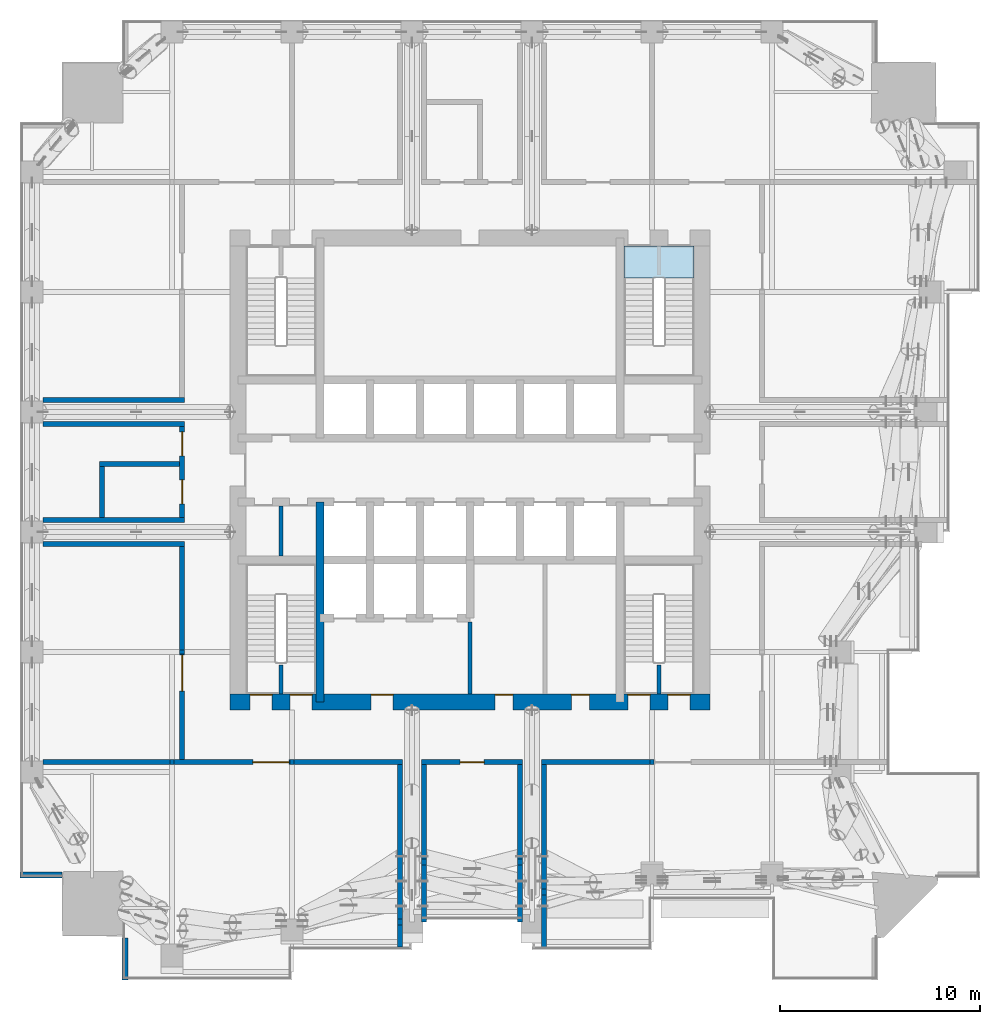
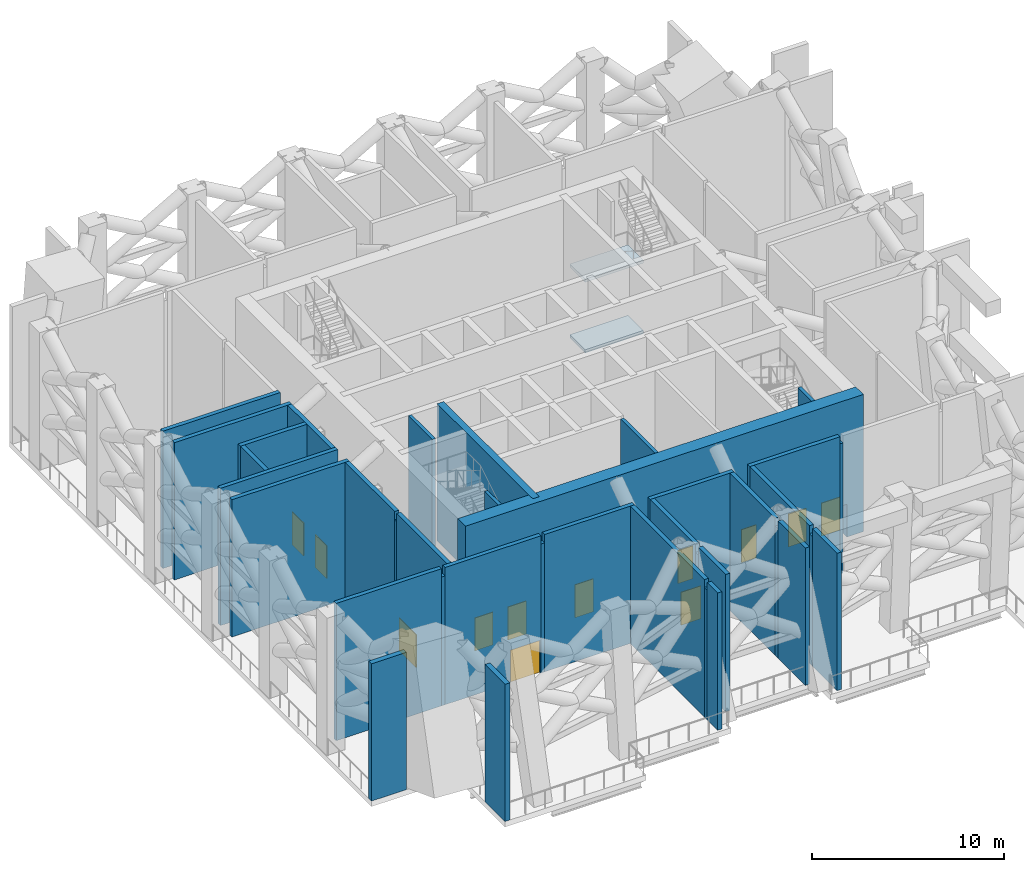
# One storey, part 7 of 19: 38 walls, 12 doors, 2 slabs, 12 openings, 1 element without a shape of its own.
"""IFC4 building model written with IfcOpenShell, lengths in metres."""

from ifc_helpers import new_model, si_unit, direction, frame, frame_2d, origin, place, context, subcontext, project, spatial, polyline, rectangle, outline, extrude, material, layer, layer_set, type_object, element, fill, aggregate, save


model = new_model("IFC4")

# Units and contexts
model_context = context("Model", 3, precision=1e-05, world=origin(), true_north=direction((0.0, 1.0)))
body_context = subcontext(model_context, "Body", "Model", "MODEL_VIEW")
ifc_project = project(units=[si_unit("LENGTHUNIT", "METRE"), si_unit("AREAUNIT", "SQUARE_METRE"), si_unit("VOLUMEUNIT", "CUBIC_METRE"), si_unit("PLANEANGLEUNIT", "RADIAN"), si_unit("MASSUNIT", "GRAM", prefix="KILO")], contexts=[model_context])

# Site, building, storey
site_placement = place(None, origin())
site = spatial("IfcSite", under=ifc_project, at=site_placement, CompositionType="ELEMENT")
building_placement = place(site_placement, origin())
building = spatial("IfcBuilding", under=site, at=building_placement, Name="Amberfall Residences", CompositionType="ELEMENT")
storey_placement = place(building_placement, frame((0.0, 0.0, 124.89990234375)))
storey = spatial("IfcBuildingStorey", under=building, at=storey_placement, Name="L34", CompositionType="ELEMENT", Elevation=124.89990234375)

# Stair, slabs
ifc_material_1 = material(Name="Concrete C40", Category="concrete")
stair_type = type_object("IfcStairType", Name="Exit stair 52 risers 173.1 mm", PredefinedType="HALF_TURN_STAIR", material=ifc_material_1)
stair_placement = place(storey_placement, origin())
stair = element("IfcStair", 1, at=stair_placement, inside=storey, type_object=stair_type, Name="L34 Exit stair 3", PredefinedType="HALF_TURN_STAIR")
ifc_layer_1 = layer(ifc_material_1, 0.199951171875)
ifc_layer_set_1 = layer_set([ifc_layer_1], Name="Stair landing 200")
slab_type = type_object("IfcSlabType", Name="Stair landing 200", PredefinedType="LANDING", material=ifc_layer_set_1)
slab_1_placement = place(storey_placement, frame((0.0, 0.0, 4.300048828125)))
slab_1 = element("IfcSlab", 2, at=slab_1_placement, type_object=slab_type, Name="ST4 landing 2", PredefinedType="LANDING", context=body_context, shape_type="SweptSolid", body=[
    extrude(outline(polyline([(82.199951171875, 56.699951171875), (82.199951171875, 55.10009765625), (85.699951171875, 55.10009765625), (85.699951171875, 56.699951171875), (82.199951171875, 56.699951171875)])), origin(), (0.0, 0.0, 1.0), 0.199951171875),
])
slab_2_placement = place(storey_placement, frame((0.0, 0.0, -0.199951171875)))
slab_2 = element("IfcSlab", 3, at=slab_2_placement, type_object=slab_type, Name="ST4 landing 4", PredefinedType="LANDING", context=body_context, shape_type="SweptSolid", body=[
    extrude(outline(polyline([(82.199951171875, 56.699951171875), (82.199951171875, 55.10009765625), (85.699951171875, 55.10009765625), (85.699951171875, 56.699951171875), (82.199951171875, 56.699951171875)])), origin(), (0.0, 0.0, 1.0), 0.199951171875),
])
aggregate(stair, [slab_1, slab_2])

# Walls
ifc_material_2 = material(Name="Reinforced concrete C40", Category="concrete")
ifc_layer_2 = layer(ifc_material_2, 0.25)
ifc_layer_set_2 = layer_set([ifc_layer_2], Name="Compartment wall 250")
wall_type_1 = type_object("IfcWallType", Name="Compartment wall 250", PredefinedType="SOLIDWALL", material=ifc_layer_set_2)
wall_1_placement = place(storey_placement, frame((53.14990234375, 30.89990234375, 0.0), z_axis=(0.0, 0.0, 1.0), x_axis=(1.0, 0.0, 0.0)))
element("IfcWall", 4, at=wall_1_placement, inside=storey, type_object=wall_type_1, Name="Compartment wall 250 L34 001", PredefinedType="SOLIDWALL", context=body_context, shape_type="SweptSolid", body=[
    extrude(rectangle(XDim=6.3447265625, YDim=0.25, at=frame_2d((3.17236328125, 0.0))), origin(), (0.0, 0.0, 1.0), 8.75),
])
wall_2_placement = place(storey_placement, frame((59.49462890625, 30.89990234375, 0.0), z_axis=(0.0, 0.0, 1.0), x_axis=(1.0, 0.0, 0.0)))
element("IfcWall", 5, at=wall_2_placement, inside=storey, type_object=wall_type_1, Name="Compartment wall 250 L34 002", PredefinedType="SOLIDWALL", context=body_context, shape_type="SweptSolid", body=[
    extrude(rectangle(XDim=0.210693359375, YDim=0.25, at=frame_2d((0.10546875, 0.0))), origin(), (0.0, 0.0, 1.0), 8.211181640625),
])

# Wall, opening, door
wall_3_placement = place(storey_placement, frame((59.705322265625, 30.89990234375, 0.0), z_axis=(0.0, 0.0, 1.0), x_axis=(1.0, 0.0, 0.0)))
wall_3 = element("IfcWall", 6, at=wall_3_placement, inside=storey, type_object=wall_type_1, Name="Compartment wall 250 L34 003", PredefinedType="SOLIDWALL", context=body_context, shape_type="SweptSolid", body=[
    extrude(rectangle(XDim=5.7900390625, YDim=0.25, at=frame_2d((2.89501953125, 0.0))), origin(), (0.0, 0.0, 1.0), 8.75),
])
opening_1_placement = place(wall_3_placement, frame((3.944580078125, 0.0, 0.0)))
opening_1 = element("IfcOpeningElement", 7, at=opening_1_placement, cuts=wall_3, Name="Opening D13", PredefinedType="OPENING", context=body_context, shape_type="SweptSolid", body=[
    extrude(rectangle(XDim=1.800048828125, YDim=2.10009765625, at=frame_2d((0.89990234375, 1.050048828125))), frame((0.0, 0.135009765625, 0.0), z_axis=(0.0, -1.0, 0.0), x_axis=(1.0, 0.0, 0.0)), (0.0, 0.0, 1.0), 0.27001953125),
])
ifc_material_3 = material(Name="Steel fire door leaf", Category="steel")
door_type_1 = type_object("IfcDoorType", Name="Double fire door 1800x2100 FD60", OperationType="DOUBLE_DOOR_SINGLE_SWING", PredefinedType="DOOR", material=ifc_material_3)
door_1_placement = place(opening_1_placement, origin())
door_1 = element("IfcDoor", 8, at=door_1_placement, inside=storey, type_object=door_type_1, Name="Door Refuge area 1", OperationType="DOUBLE_DOOR_SINGLE_SWING", OverallHeight=2.10009765625, OverallWidth=1.800048828125, PredefinedType="DOOR", context=body_context, shape_type="SweptSolid", body=[
    extrude(rectangle(XDim=1.800048828125, YDim=2.10009765625, at=frame_2d((0.89990234375, 1.050048828125))), frame((0.0, 0.02490234375, 0.0), z_axis=(0.0, -1.0, 0.0), x_axis=(1.0, 0.0, 0.0)), (0.0, 0.0, 1.0), 0.050048828125),
])
fill(opening_1, door_1)

# Walls
wall_4_placement = place(storey_placement, frame((65.495361328125, 30.89990234375, 0.0), z_axis=(0.0, 0.0, 1.0), x_axis=(1.0, 0.0, 0.0)))
element("IfcWall", 9, at=wall_4_placement, inside=storey, type_object=wall_type_1, Name="Compartment wall 250 L34 004", PredefinedType="SOLIDWALL", context=body_context, shape_type="SweptSolid", body=[
    extrude(rectangle(XDim=0.209228515625, YDim=0.25, at=frame_2d((0.1044921875, 0.0))), origin(), (0.0, 0.0, 1.0), 8.217041015625),
])
wall_5_placement = place(storey_placement, frame((65.70458984375, 30.89990234375, 0.0), z_axis=(0.0, 0.0, 1.0), x_axis=(1.0, 0.0, 0.0)))
element("IfcWall", 10, at=wall_5_placement, inside=storey, type_object=wall_type_1, Name="Compartment wall 250 L34 005", PredefinedType="SOLIDWALL", context=body_context, shape_type="SweptSolid", body=[
    extrude(rectangle(XDim=5.42041015625, YDim=0.25, at=frame_2d((2.710205078125, 0.0))), origin(), (0.0, 0.0, 1.0), 8.75),
])

# Wall, opening, door
wall_6_placement = place(storey_placement, frame((72.074951171875, 30.89990234375, 0.0), z_axis=(0.0, 0.0, 1.0), x_axis=(1.0, 0.0, 0.0)))
wall_6 = element("IfcWall", 11, at=wall_6_placement, inside=storey, type_object=wall_type_1, Name="Compartment wall 250 L34 006", PredefinedType="SOLIDWALL", context=body_context, shape_type="SweptSolid", body=[
    extrude(rectangle(XDim=5.050048828125, YDim=0.25, at=frame_2d((2.52490234375, 0.0))), origin(), (0.0, 0.0, 1.0), 8.75),
])
opening_2_placement = place(wall_6_placement, frame((1.925048828125, 0.0, 0.0)))
opening_2 = element("IfcOpeningElement", 12, at=opening_2_placement, cuts=wall_6, Name="Opening D6", PredefinedType="OPENING", context=body_context, shape_type="SweptSolid", body=[
    extrude(rectangle(XDim=1.199951171875, YDim=2.10009765625, at=frame_2d((0.60009765625, 1.050048828125))), frame((0.0, 0.135009765625, 0.0), z_axis=(0.0, -1.0, 0.0), x_axis=(1.0, 0.0, 0.0)), (0.0, 0.0, 1.0), 0.27001953125),
])
door_type_2 = type_object("IfcDoorType", Name="Exit door 1200x2100", OperationType="SINGLE_SWING_LEFT", PredefinedType="DOOR", material=ifc_material_3)
door_2_placement = place(opening_2_placement, origin())
door_2 = element("IfcDoor", 13, at=door_2_placement, inside=storey, type_object=door_type_2, Name="Door Refuge area 2", OperationType="SINGLE_SWING_LEFT", OverallHeight=2.10009765625, OverallWidth=1.199951171875, PredefinedType="DOOR", context=body_context, shape_type="SweptSolid", body=[
    extrude(rectangle(XDim=1.199951171875, YDim=2.10009765625, at=frame_2d((0.60009765625, 1.050048828125))), frame((0.0, 0.02490234375, 0.0), z_axis=(0.0, -1.0, 0.0), x_axis=(1.0, 0.0, 0.0)), (0.0, 0.0, 1.0), 0.050048828125),
])
fill(opening_2, door_2)

# Walls
wall_7_placement = place(storey_placement, frame((78.074951171875, 30.89990234375, 0.0), z_axis=(0.0, 0.0, 1.0), x_axis=(1.0, 0.0, 0.0)))
element("IfcWall", 14, at=wall_7_placement, inside=storey, type_object=wall_type_1, Name="Compartment wall 250 L34 007", PredefinedType="SOLIDWALL", context=body_context, shape_type="SweptSolid", body=[
    extrude(rectangle(XDim=5.429443359375, YDim=0.25, at=frame_2d((2.71484375, 0.0))), origin(), (0.0, 0.0, 1.0), 8.75),
])
wall_8_placement = place(storey_placement, frame((83.50439453125, 30.89990234375, 0.0), z_axis=(0.0, 0.0, 1.0), x_axis=(1.0, 0.0, 0.0)))
element("IfcWall", 15, at=wall_8_placement, inside=storey, type_object=wall_type_1, Name="Compartment wall 250 L34 008", PredefinedType="SOLIDWALL", context=body_context, shape_type="SweptSolid", body=[
    extrude(rectangle(XDim=0.19140625, YDim=0.25, at=frame_2d((0.095703125, 0.0))), origin(), (0.0, 0.0, 1.0), 8.2900390625),
])
for number, where, z_axis, x_axis, name in (
    (16, (53.14990234375, 41.800048828125, 0.0), (0.0, 0.0, 1.0), (1.0, 0.0, 0.0), "Compartment wall 250 L34 014"),
    (17, (53.14990234375, 43.0, 0.0), (0.0, 0.0, 1.0), (1.0, 0.0, 0.0), "Compartment wall 250 L34 018"),
):
    element("IfcWall", number, at=place(storey_placement, frame(where, z_axis=z_axis, x_axis=x_axis)), inside=storey, type_object=wall_type_1, Name=name, PredefinedType="SOLIDWALL", context=body_context, shape_type="SweptSolid", body=[
        extrude(rectangle(XDim=7.0751953125, YDim=0.25, at=frame_2d((3.53759765625, 0.0))), origin(), (0.0, 0.0, 1.0), 8.75),
    ])
wall_9_placement = place(storey_placement, frame((55.97509765625, 45.800048828125, 0.0), z_axis=(0.0, 0.0, 1.0), x_axis=(1.0, 0.0, 0.0)))
element("IfcWall", 18, at=wall_9_placement, inside=storey, type_object=wall_type_1, Name="Compartment wall 250 L34 022", PredefinedType="SOLIDWALL", context=body_context, shape_type="SweptSolid", body=[
    extrude(rectangle(XDim=4.0, YDim=0.25, at=frame_2d((2.0, 0.0))), origin(), (0.0, 0.0, 1.0), 8.75),
])
for number, where, z_axis, x_axis, name in (
    (19, (53.14990234375, 47.800048828125, 0.0), (0.0, 0.0, 1.0), (1.0, 0.0, 0.0), "Compartment wall 250 L34 023"),
    (20, (53.14990234375, 49.0, 0.0), (0.0, 0.0, 1.0), (1.0, 0.0, 0.0), "Compartment wall 250 L34 027"),
):
    element("IfcWall", number, at=place(storey_placement, frame(where, z_axis=z_axis, x_axis=x_axis)), inside=storey, type_object=wall_type_1, Name=name, PredefinedType="SOLIDWALL", context=body_context, shape_type="SweptSolid", body=[
        extrude(rectangle(XDim=7.0751953125, YDim=0.25, at=frame_2d((3.53759765625, 0.0))), origin(), (0.0, 0.0, 1.0), 8.75),
    ])
wall_10_placement = place(storey_placement, frame((56.10009765625, 43.125, 0.0), z_axis=(0.0, 0.0, 1.0), x_axis=(0.0, 1.0, 0.0)))
element("IfcWall", 21, at=wall_10_placement, inside=storey, type_object=wall_type_1, Name="Compartment wall 250 L34 045", PredefinedType="SOLIDWALL", context=body_context, shape_type="SweptSolid", body=[
    extrude(rectangle(XDim=2.550048828125, YDim=0.25, at=frame_2d((1.27490234375, 0.0))), origin(), (0.0, 0.0, 1.0), 8.75),
])

# Wall, opening, door
wall_11_placement = place(storey_placement, frame((60.10009765625, 31.02490234375, 0.0), z_axis=(0.0, 0.0, 1.0), x_axis=(0.0, 1.0, 0.0)))
wall_11 = element("IfcWall", 22, at=wall_11_placement, inside=storey, type_object=wall_type_1, Name="Compartment wall 250 L34 046", PredefinedType="SOLIDWALL", context=body_context, shape_type="SweptSolid", body=[
    extrude(rectangle(XDim=5.2705078125, YDim=0.25, at=frame_2d((2.63525390625, 0.0))), origin(), (0.0, 0.0, 1.0), 8.75),
])
opening_3_placement = place(wall_11_placement, frame((3.425048828125, 0.0, 0.0)))
opening_3 = element("IfcOpeningElement", 23, at=opening_3_placement, cuts=wall_11, Name="Opening D13", PredefinedType="OPENING", context=body_context, shape_type="SweptSolid", body=[
    extrude(rectangle(XDim=1.800048828125, YDim=2.10009765625, at=frame_2d((0.89990234375, 1.050048828125))), frame((0.0, 0.135009765625, 0.0), z_axis=(0.0, -1.0, 0.0), x_axis=(1.0, 0.0, 0.0)), (0.0, 0.0, 1.0), 0.27001953125),
])
door_3_placement = place(opening_3_placement, origin())
door_3 = element("IfcDoor", 24, at=door_3_placement, inside=storey, type_object=door_type_1, Name="Door Refuge area 9", OperationType="DOUBLE_DOOR_SINGLE_SWING", OverallHeight=2.10009765625, OverallWidth=1.800048828125, PredefinedType="DOOR", context=body_context, shape_type="SweptSolid", body=[
    extrude(rectangle(XDim=1.800048828125, YDim=2.10009765625, at=frame_2d((0.89990234375, 1.050048828125))), frame((0.0, 0.02490234375, 0.0), z_axis=(0.0, -1.0, 0.0), x_axis=(1.0, 0.0, 0.0)), (0.0, 0.0, 1.0), 0.050048828125),
])
fill(opening_3, door_3)

# Walls
wall_12_placement = place(storey_placement, frame((60.10009765625, 36.29541015625, 0.0), z_axis=(0.0, 0.0, 1.0), x_axis=(0.0, 1.0, 0.0)))
element("IfcWall", 25, at=wall_12_placement, inside=storey, type_object=wall_type_1, Name="Compartment wall 250 L34 047", PredefinedType="SOLIDWALL", context=body_context, shape_type="SweptSolid", body=[
    extrude(rectangle(XDim=0.209228515625, YDim=0.25, at=frame_2d((0.1044921875, 0.0))), origin(), (0.0, 0.0, 1.0), 8.217041015625),
])
wall_13_placement = place(storey_placement, frame((60.10009765625, 36.504638671875, 0.0), z_axis=(0.0, 0.0, 1.0), x_axis=(0.0, 1.0, 0.0)))
element("IfcWall", 26, at=wall_13_placement, inside=storey, type_object=wall_type_1, Name="Compartment wall 250 L34 048", PredefinedType="SOLIDWALL", context=body_context, shape_type="SweptSolid", body=[
    extrude(rectangle(XDim=5.17041015625, YDim=0.25, at=frame_2d((2.585205078125, 0.0))), origin(), (0.0, 0.0, 1.0), 8.75),
])

# Wall, openings, doors
wall_14_placement = place(storey_placement, frame((60.10009765625, 43.125, 0.0), z_axis=(0.0, 0.0, 1.0), x_axis=(0.0, 1.0, 0.0)))
wall_14 = element("IfcWall", 27, at=wall_14_placement, inside=storey, type_object=wall_type_1, Name="Compartment wall 250 L34 049", PredefinedType="SOLIDWALL", context=body_context, shape_type="SweptSolid", body=[
    extrude(rectangle(XDim=4.550048828125, YDim=0.25, at=frame_2d((2.27490234375, 0.0))), origin(), (0.0, 0.0, 1.0), 8.75),
])
opening_4_placement = place(wall_14_placement, frame((0.675048828125, 0.0, 0.0)))
opening_4 = element("IfcOpeningElement", 28, at=opening_4_placement, cuts=wall_14, Name="Opening D7", PredefinedType="OPENING", context=body_context, shape_type="SweptSolid", body=[
    extrude(rectangle(XDim=1.199951171875, YDim=2.10009765625, at=frame_2d((0.60009765625, 1.050048828125))), frame((0.0, 0.135009765625, 0.0), z_axis=(0.0, -1.0, 0.0), x_axis=(1.0, 0.0, 0.0)), (0.0, 0.0, 1.0), 0.27001953125),
])
opening_5_placement = place(wall_14_placement, frame((3.074951171875, 0.0, 0.0)))
opening_5 = element("IfcOpeningElement", 29, at=opening_5_placement, cuts=wall_14, Name="Opening D6", PredefinedType="OPENING", context=body_context, shape_type="SweptSolid", body=[
    extrude(rectangle(XDim=1.199951171875, YDim=2.10009765625, at=frame_2d((0.60009765625, 1.050048828125))), frame((0.0, 0.135009765625, 0.0), z_axis=(0.0, -1.0, 0.0), x_axis=(1.0, 0.0, 0.0)), (0.0, 0.0, 1.0), 0.27001953125),
])
door_4_placement = place(opening_5_placement, origin())
door_4 = element("IfcDoor", 30, at=door_4_placement, inside=storey, type_object=door_type_2, Name="Door Refuge area 10", OperationType="SINGLE_SWING_LEFT", OverallHeight=2.10009765625, OverallWidth=1.199951171875, PredefinedType="DOOR", context=body_context, shape_type="SweptSolid", body=[
    extrude(rectangle(XDim=1.199951171875, YDim=2.10009765625, at=frame_2d((0.60009765625, 1.050048828125))), frame((0.0, 0.02490234375, 0.0), z_axis=(0.0, -1.0, 0.0), x_axis=(1.0, 0.0, 0.0)), (0.0, 0.0, 1.0), 0.050048828125),
])
fill(opening_5, door_4)
door_type_3 = type_object("IfcDoorType", Name="Plant room door 1200x2100", OperationType="SINGLE_SWING_LEFT", PredefinedType="DOOR", material=ifc_material_3)
door_5_placement = place(opening_4_placement, origin())
door_5 = element("IfcDoor", 31, at=door_5_placement, inside=storey, type_object=door_type_3, Name="Door Fire pump room W", OperationType="SINGLE_SWING_LEFT", OverallHeight=2.10009765625, OverallWidth=1.199951171875, PredefinedType="DOOR", context=body_context, shape_type="SweptSolid", body=[
    extrude(rectangle(XDim=1.199951171875, YDim=2.10009765625, at=frame_2d((0.60009765625, 1.050048828125))), frame((0.0, 0.02490234375, 0.0), z_axis=(0.0, -1.0, 0.0), x_axis=(1.0, 0.0, 0.0)), (0.0, 0.0, 1.0), 0.050048828125),
])
fill(opening_4, door_5)

# Walls
wall_15_placement = place(storey_placement, frame((71.0, 21.64990234375, 0.0), z_axis=(0.0, 0.0, 1.0), x_axis=(0.0, 1.0, 0.0)))
element("IfcWall", 32, at=wall_15_placement, inside=storey, type_object=wall_type_1, Name="Compartment wall 250 L34 054", PredefinedType="SOLIDWALL", context=body_context, shape_type="SweptSolid", body=[
    extrude(rectangle(XDim=1.10009765625, YDim=0.25, at=frame_2d((0.550048828125, 0.0))), origin(), (0.0, 0.0, 1.0), 8.75),
])
wall_16_placement = place(storey_placement, frame((71.0, 22.75, 0.0), z_axis=(0.0, 0.0, 1.0), x_axis=(0.0, 1.0, 0.0)))
element("IfcWall", 33, at=wall_16_placement, inside=storey, type_object=wall_type_1, Name="Compartment wall 250 L34 055", PredefinedType="SOLIDWALL", context=body_context, shape_type="SweptSolid", body=[
    extrude(rectangle(XDim=0.300048828125, YDim=0.25, at=frame_2d((0.14990234375, 0.0))), origin(), (0.0, 0.0, 1.0), 8.25),
])
wall_17_placement = place(storey_placement, frame((71.0, 23.050048828125, 0.0), z_axis=(0.0, 0.0, 1.0), x_axis=(0.0, 1.0, 0.0)))
element("IfcWall", 34, at=wall_17_placement, inside=storey, type_object=wall_type_1, Name="Compartment wall 250 L34 056", PredefinedType="SOLIDWALL", context=body_context, shape_type="SweptSolid", body=[
    extrude(rectangle(XDim=7.724853515625, YDim=0.25, at=frame_2d((3.8623046875, 0.0))), origin(), (0.0, 0.0, 1.0), 8.75),
])
wall_18_placement = place(storey_placement, frame((72.199951171875, 22.89990234375, 0.0), z_axis=(0.0, 0.0, 1.0), x_axis=(0.0, 1.0, 0.0)))
element("IfcWall", 35, at=wall_18_placement, inside=storey, type_object=wall_type_1, Name="Compartment wall 250 L34 058", PredefinedType="SOLIDWALL", context=body_context, shape_type="SweptSolid", body=[
    extrude(rectangle(XDim=2.85009765625, YDim=0.25, at=frame_2d((1.425048828125, 0.0))), origin(), (0.0, 0.0, 1.0), 8.75),
])
wall_19_placement = place(storey_placement, frame((72.199951171875, 25.75, 0.0), z_axis=(0.0, 0.0, 1.0), x_axis=(0.0, 1.0, 0.0)))
element("IfcWall", 36, at=wall_19_placement, inside=storey, type_object=wall_type_1, Name="Compartment wall 250 L34 059", PredefinedType="SOLIDWALL", context=body_context, shape_type="SweptSolid", body=[
    extrude(rectangle(XDim=0.300048828125, YDim=0.25, at=frame_2d((0.14990234375, 0.0))), origin(), (0.0, 0.0, 1.0), 8.25),
])
wall_20_placement = place(storey_placement, frame((72.199951171875, 26.050048828125, 0.0), z_axis=(0.0, 0.0, 1.0), x_axis=(0.0, 1.0, 0.0)))
element("IfcWall", 37, at=wall_20_placement, inside=storey, type_object=wall_type_1, Name="Compartment wall 250 L34 060", PredefinedType="SOLIDWALL", context=body_context, shape_type="SweptSolid", body=[
    extrude(rectangle(XDim=4.724853515625, YDim=0.25, at=frame_2d((2.3623046875, 0.0))), origin(), (0.0, 0.0, 1.0), 8.75),
])
wall_21_placement = place(storey_placement, frame((77.0, 22.89990234375, 0.0), z_axis=(0.0, 0.0, 1.0), x_axis=(0.0, 1.0, 0.0)))
element("IfcWall", 38, at=wall_21_placement, inside=storey, type_object=wall_type_1, Name="Compartment wall 250 L34 063", PredefinedType="SOLIDWALL", context=body_context, shape_type="SweptSolid", body=[
    extrude(rectangle(XDim=2.85009765625, YDim=0.25, at=frame_2d((1.425048828125, 0.0))), origin(), (0.0, 0.0, 1.0), 8.75),
])
wall_22_placement = place(storey_placement, frame((77.0, 25.75, 0.0), z_axis=(0.0, 0.0, 1.0), x_axis=(0.0, 1.0, 0.0)))
element("IfcWall", 39, at=wall_22_placement, inside=storey, type_object=wall_type_1, Name="Compartment wall 250 L34 064", PredefinedType="SOLIDWALL", context=body_context, shape_type="SweptSolid", body=[
    extrude(rectangle(XDim=0.300048828125, YDim=0.25, at=frame_2d((0.14990234375, 0.0))), origin(), (0.0, 0.0, 1.0), 8.25),
])
wall_23_placement = place(storey_placement, frame((77.0, 26.050048828125, 0.0), z_axis=(0.0, 0.0, 1.0), x_axis=(0.0, 1.0, 0.0)))
element("IfcWall", 40, at=wall_23_placement, inside=storey, type_object=wall_type_1, Name="Compartment wall 250 L34 065", PredefinedType="SOLIDWALL", context=body_context, shape_type="SweptSolid", body=[
    extrude(rectangle(XDim=4.724853515625, YDim=0.25, at=frame_2d((2.3623046875, 0.0))), origin(), (0.0, 0.0, 1.0), 8.75),
])
wall_24_placement = place(storey_placement, frame((78.199951171875, 21.64990234375, 0.0), z_axis=(0.0, 0.0, 1.0), x_axis=(0.0, 1.0, 0.0)))
element("IfcWall", 41, at=wall_24_placement, inside=storey, type_object=wall_type_1, Name="Compartment wall 250 L34 067", PredefinedType="SOLIDWALL", context=body_context, shape_type="SweptSolid", body=[
    extrude(rectangle(XDim=2.60009765625, YDim=0.25, at=frame_2d((1.300048828125, 0.0))), origin(), (0.0, 0.0, 1.0), 8.75),
])
wall_25_placement = place(storey_placement, frame((78.199951171875, 24.25, 0.0), z_axis=(0.0, 0.0, 1.0), x_axis=(0.0, 1.0, 0.0)))
element("IfcWall", 42, at=wall_25_placement, inside=storey, type_object=wall_type_1, Name="Compartment wall 250 L34 068", PredefinedType="SOLIDWALL", context=body_context, shape_type="SweptSolid", body=[
    extrude(rectangle(XDim=0.300048828125, YDim=0.25, at=frame_2d((0.14990234375, 0.0))), origin(), (0.0, 0.0, 1.0), 8.25),
])
wall_26_placement = place(storey_placement, frame((78.199951171875, 24.550048828125, 0.0), z_axis=(0.0, 0.0, 1.0), x_axis=(0.0, 1.0, 0.0)))
element("IfcWall", 43, at=wall_26_placement, inside=storey, type_object=wall_type_1, Name="Compartment wall 250 L34 069", PredefinedType="SOLIDWALL", context=body_context, shape_type="SweptSolid", body=[
    extrude(rectangle(XDim=6.224853515625, YDim=0.25, at=frame_2d((3.1123046875, 0.0))), origin(), (0.0, 0.0, 1.0), 8.75),
])
ifc_material_4 = material(Name="Concrete C70", Category="concrete")
ifc_layer_3 = layer(ifc_material_4, 0.39990234375)
ifc_layer_set_3 = layer_set([ifc_layer_3], Name="Core wall 400 C70")
wall_type_2 = type_object("IfcWallType", Name="Core wall 400 C70", PredefinedType="SHEAR", material=ifc_layer_set_3)
wall_27_placement = place(storey_placement, frame((67.0, 33.89990234375, 0.0), z_axis=(0.0, 0.0, 1.0), x_axis=(0.0, 1.0, 0.0)))
element("IfcWall", 44, at=wall_27_placement, inside=storey, type_object=wall_type_2, Name="Core wall RW4 L34 V45S", PredefinedType="SHEAR", context=body_context, shape_type="SweptSolid", body=[
    extrude(rectangle(XDim=10.0, YDim=0.39990234375, at=frame_2d((5.0, 0.0))), origin(), (0.0, 0.0, 1.0), 8.75),
])

# Wall, openings, doors
ifc_layer_4 = layer(ifc_material_4, 0.800048828125)
ifc_layer_set_4 = layer_set([ifc_layer_4], Name="Core wall 800 C70")
wall_type_3 = type_object("IfcWallType", Name="Core wall 800 C70", PredefinedType="SHEAR", material=ifc_layer_set_4)
wall_28_placement = place(storey_placement, frame((62.5, 33.89990234375, 0.0), z_axis=(0.0, 0.0, 1.0), x_axis=(1.0, 0.0, 0.0)))
wall_28 = element("IfcWall", 45, at=wall_28_placement, inside=storey, type_object=wall_type_3, Name="Core wall RW3 L34 OS", PredefinedType="SHEAR", context=body_context, shape_type="SweptSolid", body=[
    extrude(rectangle(XDim=24.0, YDim=0.800048828125, at=frame_2d((12.0, 0.0))), origin(), (0.0, 0.0, 1.0), 8.75),
])
opening_6_placement = place(wall_28_placement, frame((3.0, 0.0, 0.0)))
opening_6 = element("IfcOpeningElement", 46, at=opening_6_placement, cuts=wall_28, Name="Opening SD1", PredefinedType="OPENING", context=body_context, shape_type="SweptSolid", body=[
    extrude(rectangle(XDim=1.10009765625, YDim=2.10009765625, at=frame_2d((0.550048828125, 1.050048828125))), frame((0.0, 0.409912109375, 0.0), z_axis=(0.0, -1.0, 0.0), x_axis=(1.0, 0.0, 0.0)), (0.0, 0.0, 1.0), 0.820068359375),
])
opening_7_placement = place(wall_28_placement, frame((1.0, 0.0, 0.0)))
opening_7 = element("IfcOpeningElement", 47, at=opening_7_placement, cuts=wall_28, Name="Opening SD1", PredefinedType="OPENING", context=body_context, shape_type="SweptSolid", body=[
    extrude(rectangle(XDim=1.10009765625, YDim=2.10009765625, at=frame_2d((0.550048828125, 1.050048828125))), frame((0.0, 0.409912109375, 0.0), z_axis=(0.0, -1.0, 0.0), x_axis=(1.0, 0.0, 0.0)), (0.0, 0.0, 1.0), 0.820068359375),
])
opening_8_placement = place(wall_28_placement, frame((21.89990234375, 0.0, 0.0)))
opening_8 = element("IfcOpeningElement", 48, at=opening_8_placement, cuts=wall_28, Name="Opening SD1", PredefinedType="OPENING", context=body_context, shape_type="SweptSolid", body=[
    extrude(rectangle(XDim=1.10009765625, YDim=2.10009765625, at=frame_2d((0.550048828125, 1.050048828125))), frame((0.0, 0.409912109375, 0.0), z_axis=(0.0, -1.0, 0.0), x_axis=(1.0, 0.0, 0.0)), (0.0, 0.0, 1.0), 0.820068359375),
])
opening_9_placement = place(wall_28_placement, frame((19.89990234375, 0.0, 0.0)))
opening_9 = element("IfcOpeningElement", 49, at=opening_9_placement, cuts=wall_28, Name="Opening SD1", PredefinedType="OPENING", context=body_context, shape_type="SweptSolid", body=[
    extrude(rectangle(XDim=1.10009765625, YDim=2.10009765625, at=frame_2d((0.550048828125, 1.050048828125))), frame((0.0, 0.409912109375, 0.0), z_axis=(0.0, -1.0, 0.0), x_axis=(1.0, 0.0, 0.0)), (0.0, 0.0, 1.0), 0.820068359375),
])
opening_10_placement = place(wall_28_placement, frame((7.050048828125, 0.0, 0.0)))
opening_10 = element("IfcOpeningElement", 50, at=opening_10_placement, cuts=wall_28, Name="Opening FL1", PredefinedType="OPENING", context=body_context, shape_type="SweptSolid", body=[
    extrude(rectangle(XDim=1.10009765625, YDim=2.10009765625, at=frame_2d((0.550048828125, 1.050048828125))), frame((0.0, 0.409912109375, 0.0), z_axis=(0.0, -1.0, 0.0), x_axis=(1.0, 0.0, 0.0)), (0.0, 0.0, 1.0), 0.820068359375),
])
opening_11_placement = place(wall_28_placement, frame((13.25, 0.0, 0.0)))
opening_11 = element("IfcOpeningElement", 51, at=opening_11_placement, cuts=wall_28, Name="Opening RD1", PredefinedType="OPENING", context=body_context, shape_type="SweptSolid", body=[
    extrude(rectangle(XDim=0.89990234375, YDim=2.10009765625, at=frame_2d((0.449951171875, 1.050048828125))), frame((0.0, 0.409912109375, 0.0), z_axis=(0.0, -1.0, 0.0), x_axis=(1.0, 0.0, 0.0)), (0.0, 0.0, 1.0), 0.820068359375),
])
opening_12_placement = place(wall_28_placement, frame((17.074951171875, 0.0, 0.0)))
opening_12 = element("IfcOpeningElement", 52, at=opening_12_placement, cuts=wall_28, Name="Opening RD1", PredefinedType="OPENING", context=body_context, shape_type="SweptSolid", body=[
    extrude(rectangle(XDim=0.89990234375, YDim=2.10009765625, at=frame_2d((0.449951171875, 1.050048828125))), frame((0.0, 0.409912109375, 0.0), z_axis=(0.0, -1.0, 0.0), x_axis=(1.0, 0.0, 0.0)), (0.0, 0.0, 1.0), 0.820068359375),
])
ifc_material_5 = material(Name="Steel fire door set", Category="steel")
door_type_4 = type_object("IfcDoorType", Name="Firefighting lobby door 1100 x 2100", OperationType="SINGLE_SWING_LEFT", PredefinedType="DOOR", material=ifc_material_5)
door_6_placement = place(opening_10_placement, origin())
door_6 = element("IfcDoor", 53, at=door_6_placement, inside=storey, type_object=door_type_4, Name="FL1 L34", OperationType="SINGLE_SWING_LEFT", OverallHeight=2.10009765625, OverallWidth=1.10009765625, PredefinedType="DOOR", context=body_context, shape_type="SweptSolid", body=[
    extrude(rectangle(XDim=1.10009765625, YDim=2.10009765625, at=frame_2d((0.550048828125, 1.050048828125))), frame((0.0, 0.3876953125, 0.0), z_axis=(0.0, -1.0, 0.0), x_axis=(1.0, 0.0, 0.0)), (0.0, 0.0, 1.0), 0.050048828125),
])
fill(opening_10, door_6)
door_type_5 = type_object("IfcDoorType", Name="Service room door 900 x 2100", OperationType="SINGLE_SWING_LEFT", PredefinedType="DOOR", material=ifc_material_5)
door_7_placement = place(opening_11_placement, origin())
door_7 = element("IfcDoor", 54, at=door_7_placement, inside=storey, type_object=door_type_5, Name="RD1 L34", OperationType="SINGLE_SWING_LEFT", OverallHeight=2.10009765625, OverallWidth=0.89990234375, PredefinedType="DOOR", context=body_context, shape_type="SweptSolid", body=[
    extrude(rectangle(XDim=0.89990234375, YDim=2.10009765625, at=frame_2d((0.449951171875, 1.050048828125))), frame((0.0, 0.3876953125, 0.0), z_axis=(0.0, -1.0, 0.0), x_axis=(1.0, 0.0, 0.0)), (0.0, 0.0, 1.0), 0.050048828125),
])
fill(opening_11, door_7)
door_8_placement = place(opening_12_placement, origin())
door_8 = element("IfcDoor", 55, at=door_8_placement, inside=storey, type_object=door_type_5, Name="RD1 L34", OperationType="SINGLE_SWING_LEFT", OverallHeight=2.10009765625, OverallWidth=0.89990234375, PredefinedType="DOOR", context=body_context, shape_type="SweptSolid", body=[
    extrude(rectangle(XDim=0.89990234375, YDim=2.10009765625, at=frame_2d((0.449951171875, 1.050048828125))), frame((0.0, 0.3876953125, 0.0), z_axis=(0.0, -1.0, 0.0), x_axis=(1.0, 0.0, 0.0)), (0.0, 0.0, 1.0), 0.050048828125),
])
fill(opening_12, door_8)
door_type_6 = type_object("IfcDoorType", Name="Stair door 1100 x 2100", OperationType="SINGLE_SWING_LEFT", PredefinedType="DOOR", material=ifc_material_5)
door_9_placement = place(opening_6_placement, origin())
door_9 = element("IfcDoor", 56, at=door_9_placement, inside=storey, type_object=door_type_6, Name="SD1 L34", OperationType="SINGLE_SWING_LEFT", OverallHeight=2.10009765625, OverallWidth=1.10009765625, PredefinedType="DOOR", context=body_context, shape_type="SweptSolid", body=[
    extrude(rectangle(XDim=1.10009765625, YDim=2.10009765625, at=frame_2d((0.550048828125, 1.050048828125))), frame((0.0, 0.3876953125, 0.0), z_axis=(0.0, -1.0, 0.0), x_axis=(1.0, 0.0, 0.0)), (0.0, 0.0, 1.0), 0.050048828125),
])
fill(opening_6, door_9)
door_10_placement = place(opening_7_placement, origin())
door_10 = element("IfcDoor", 57, at=door_10_placement, inside=storey, type_object=door_type_6, Name="SD1 L34", OperationType="SINGLE_SWING_LEFT", OverallHeight=2.10009765625, OverallWidth=1.10009765625, PredefinedType="DOOR", context=body_context, shape_type="SweptSolid", body=[
    extrude(rectangle(XDim=1.10009765625, YDim=2.10009765625, at=frame_2d((0.550048828125, 1.050048828125))), frame((0.0, 0.3876953125, 0.0), z_axis=(0.0, -1.0, 0.0), x_axis=(1.0, 0.0, 0.0)), (0.0, 0.0, 1.0), 0.050048828125),
])
fill(opening_7, door_10)
door_11_placement = place(opening_8_placement, origin())
door_11 = element("IfcDoor", 58, at=door_11_placement, inside=storey, type_object=door_type_6, Name="SD1 L34", OperationType="SINGLE_SWING_RIGHT", OverallHeight=2.10009765625, OverallWidth=1.10009765625, PredefinedType="DOOR", context=body_context, shape_type="SweptSolid", body=[
    extrude(rectangle(XDim=1.10009765625, YDim=2.10009765625, at=frame_2d((0.550048828125, 1.050048828125))), frame((0.0, 0.3876953125, 0.0), z_axis=(0.0, -1.0, 0.0), x_axis=(1.0, 0.0, 0.0)), (0.0, 0.0, 1.0), 0.050048828125),
])
fill(opening_8, door_11)
door_12_placement = place(opening_9_placement, origin())
door_12 = element("IfcDoor", 59, at=door_12_placement, inside=storey, type_object=door_type_6, Name="SD1 L34", OperationType="SINGLE_SWING_RIGHT", OverallHeight=2.10009765625, OverallWidth=1.10009765625, PredefinedType="DOOR", context=body_context, shape_type="SweptSolid", body=[
    extrude(rectangle(XDim=1.10009765625, YDim=2.10009765625, at=frame_2d((0.550048828125, 1.050048828125))), frame((0.0, 0.3876953125, 0.0), z_axis=(0.0, -1.0, 0.0), x_axis=(1.0, 0.0, 0.0)), (0.0, 0.0, 1.0), 0.050048828125),
])
fill(opening_9, door_12)

# Walls
ifc_material_6 = material(Name="Bronze aluminium louvre cladding on insulated backing", Category="aluminium")
ifc_layer_5 = layer(ifc_material_6, 0.300048828125)
ifc_layer_set_5 = layer_set([ifc_layer_5], Name="Louvre clad wall 300")
wall_type_4 = type_object("IfcWallType", Name="Louvre clad wall 300", PredefinedType="SOLIDWALL", material=ifc_layer_set_5)
for number, where, z_axis, x_axis, name in (
    (60, (52.0, 25.25, 0.0), (0.0, 0.0, 1.0), (1.0, 0.0, 0.0), "External wall L34 SW"),
    (61, (57.25, 22.10009765625, 0.0), (0.0, 0.0, 1.0), (0.0, -1.0, 0.0), "External wall L34 SW"),
):
    element("IfcWall", number, at=place(storey_placement, frame(where, z_axis=z_axis, x_axis=x_axis)), inside=storey, type_object=wall_type_4, Name=name, PredefinedType="SOLIDWALL", context=body_context, shape_type="SweptSolid", body=[
        extrude(rectangle(XDim=2.10009765625, YDim=0.300048828125, at=frame_2d((1.050048828125, 0.0))), origin(), (0.0, 0.0, 1.0), 8.75),
    ])
ifc_material_7 = material(Name="Concrete blockwork", Category="masonry")
ifc_layer_6 = layer(ifc_material_7, 0.199951171875)
ifc_layer_set_6 = layer_set([ifc_layer_6], Name="Riser wall 200")
wall_type_5 = type_object("IfcWallType", Name="Riser wall 200", PredefinedType="PLUMBINGWALL", material=ifc_layer_set_6)
wall_29_placement = place(storey_placement, frame((74.5, 34.300048828125, 0.0), z_axis=(0.0, 0.0, 1.0), x_axis=(0.0, 1.0, 0.0)))
element("IfcWall", 62, at=wall_29_placement, inside=storey, type_object=wall_type_5, Name="L34 core wall PX", PredefinedType="PLUMBINGWALL", context=body_context, shape_type="SweptSolid", body=[
    extrude(rectangle(XDim=3.599853515625, YDim=0.199951171875, at=frame_2d((1.7998046875, 0.0))), origin(), (0.0, 0.0, 1.0), 8.75),
])
wall_30_placement = place(storey_placement, frame((65.050048828125, 41.199951171875, 0.0), z_axis=(0.0, 0.0, 1.0), x_axis=(0.0, 1.0, 0.0)))
element("IfcWall", 63, at=wall_30_placement, inside=storey, type_object=wall_type_5, Name="L34 core wall ASW0", PredefinedType="PLUMBINGWALL", context=body_context, shape_type="SweptSolid", body=[
    extrude(rectangle(XDim=2.5, YDim=0.199951171875, at=frame_2d((1.25, 0.0))), origin(), (0.0, 0.0, 1.0), 8.75),
])
ifc_layer_7 = layer(ifc_material_1, 0.199951171875)
ifc_layer_set_7 = layer_set([ifc_layer_7], Name="Stair separating wall 200")
wall_type_6 = type_object("IfcWallType", Name="Stair separating wall 200", PredefinedType="SHEAR", material=ifc_layer_set_7)
for number, where, z_axis, x_axis, name in (
    (64, (65.050048828125, 34.300048828125, 0.0), (0.0, 0.0, 1.0), (0.0, 1.0, 0.0), "L34 stair 1 separating wall"),
    (65, (83.949951171875, 34.300048828125, 0.0), (0.0, 0.0, 1.0), (0.0, 1.0, 0.0), "L34 stair 2 separating wall"),
):
    element("IfcWall", number, at=place(storey_placement, frame(where, z_axis=z_axis, x_axis=x_axis)), inside=storey, type_object=wall_type_6, Name=name, PredefinedType="SHEAR", context=body_context, shape_type="SweptSolid", body=[
        extrude(rectangle(XDim=1.449951171875, YDim=0.199951171875, at=frame_2d((0.72509765625, 0.0))), origin(), (0.0, 0.0, 1.0), 8.75),
    ])

save(model, "model.ifc")
